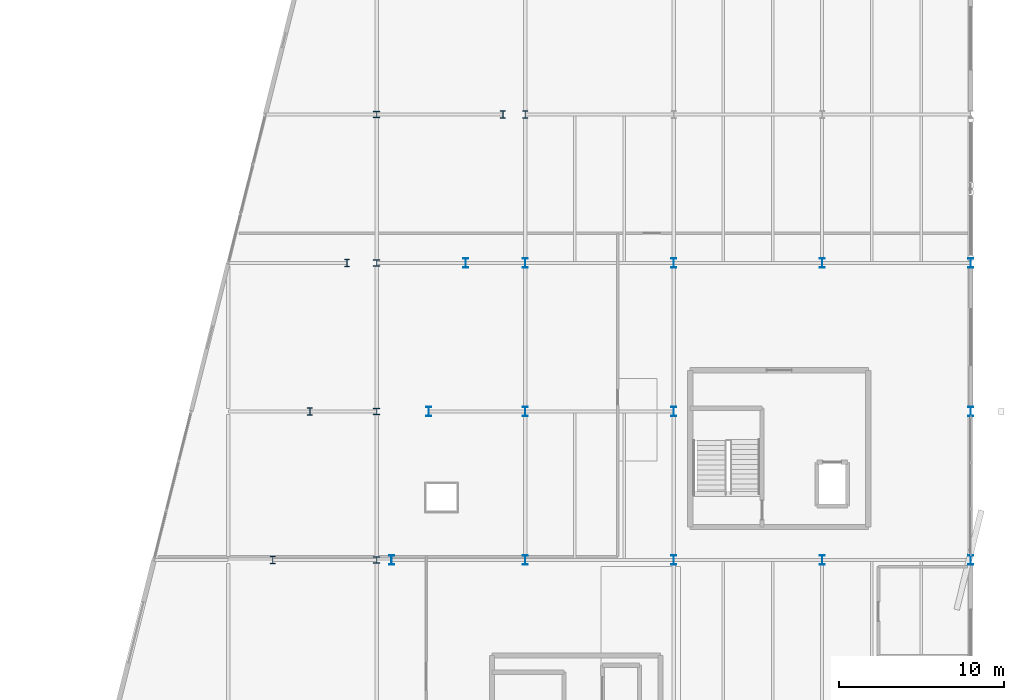
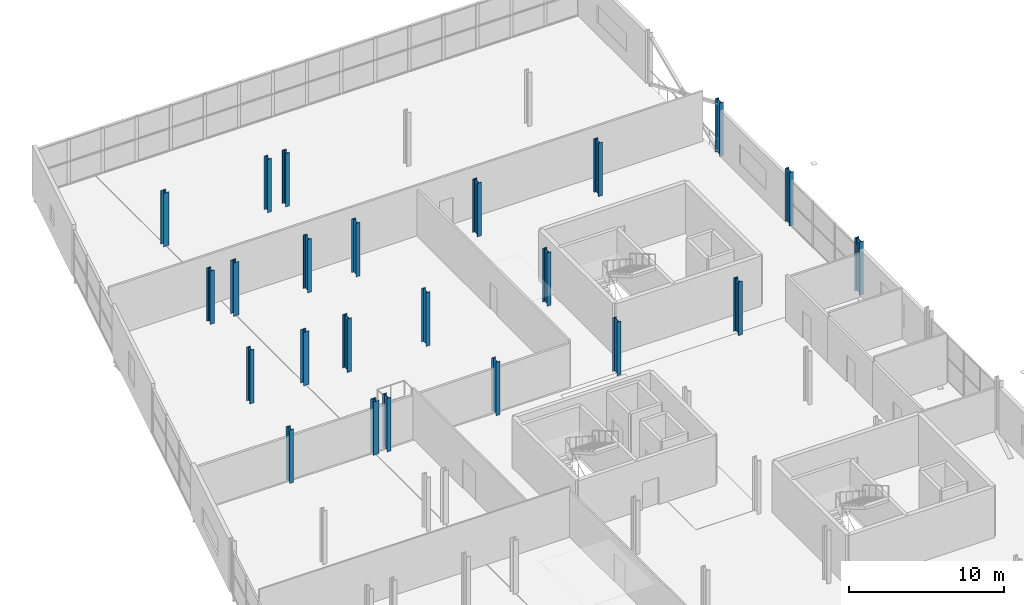
# One storey, part 10 of 88: 23 columns.
"""IFC4 building model written with IfcOpenShell, lengths in metres."""

from ifc_helpers import new_model, si_unit, direction, frame, origin, origin_2d, place, context, subcontext, project, spatial, i_section, extrude, material, material_profile, profile_set, type_object, element, save


model = new_model("IFC4")

# Units and contexts
model_context = context("Model", 3, precision=1e-05, world=origin(), true_north=direction((0.0, 1.0)))
body_context = subcontext(model_context, "Body", "Model", "MODEL_VIEW")
ifc_project = project(units=[si_unit("LENGTHUNIT", "METRE"), si_unit("AREAUNIT", "SQUARE_METRE"), si_unit("VOLUMEUNIT", "CUBIC_METRE"), si_unit("PLANEANGLEUNIT", "RADIAN"), si_unit("MASSUNIT", "GRAM", prefix="KILO")], contexts=[model_context])

# Site, building, storey
site_placement = place(None, origin())
site = spatial("IfcSite", under=ifc_project, at=site_placement, CompositionType="ELEMENT")
building_placement = place(site_placement, origin())
building = spatial("IfcBuilding", under=site, at=building_placement, Name="Deido Ridge Mobility Hub", CompositionType="ELEMENT")
storey_placement = place(building_placement, frame((0.0, 0.0, 16.800048828125)))
storey = spatial("IfcBuildingStorey", under=building, at=storey_placement, Name="L04", CompositionType="ELEMENT", Elevation=16.800048828125)

# Columns
ifc_material = material(Name="Steel S355J2 EN 10025-2", Category="steel")
ifc_material_profile_1 = material_profile(ifc_material, i_section(OverallWidth=0.39892578125, OverallDepth=0.39306640625, WebThickness=0.017578125, FlangeThickness=0.028076171875, FilletRadius=0.014892578125, at=origin_2d()), Name="HD 400x287")
ifc_profile_set_1 = profile_set([ifc_material_profile_1], Name="Steel S355J2 EN 10025-2")
column_type_1 = type_object("IfcColumnType", Name="COL-HD400-287", PredefinedType="COLUMN", material=ifc_profile_set_1)
for number, where, z_axis, x_axis, name in (
    (1, (144.0, 36.0, 0.0), (0.0, 0.0, 1.0), (1.0, 0.0, 0.0), "Structural column C2"),
    (2, (144.0, 45.0, 0.0), (0.0, 0.0, 1.0), (1.0, 0.0, 0.0), "Structural column C2"),
    (3, (144.0, 54.0, 0.0), (0.0, 0.0, 1.0), (1.0, 0.0, 0.0), "Structural column C2"),
    (4, (144.0, 63.0, 0.0), (0.0, 0.0, 1.0), (1.0, 0.0, 0.0), "Structural column C2"),
):
    element("IfcColumn", number, at=place(storey_placement, frame(where, z_axis=z_axis, x_axis=x_axis)), inside=storey, type_object=column_type_1, Name=name, PredefinedType="COLUMN", context=body_context, shape_type="SweptSolid", body=[
        extrude(i_section(OverallWidth=0.39892578125, OverallDepth=0.39306640625, WebThickness=0.017578125, FlangeThickness=0.028076171875, FilletRadius=0.014892578125, at=origin_2d()), origin(), (0.0, 0.0, 1.0), 4.199951171875),
    ])
ifc_material_profile_2 = material_profile(ifc_material, i_section(OverallWidth=0.300048828125, OverallDepth=0.449951171875, WebThickness=0.013916015625, FlangeThickness=0.02587890625, FilletRadius=0.027099609375, at=origin_2d()), Name="HEB 450")
ifc_profile_set_2 = profile_set([ifc_material_profile_2], Name="Steel S355J2 EN 10025-2")
column_type_2 = type_object("IfcColumnType", Name="COL-HEB450", PredefinedType="COLUMN", material=ifc_profile_set_2)
for number, where, z_axis, x_axis, name in (
    (5, (137.699951171875, 36.0, 0.0), (0.0, 0.0, 1.0), (1.0, 0.0, 0.0), "Structural column C6"),
    (6, (139.949951171875, 45.0, 0.0), (0.0, 0.0, 1.0), (1.0, 0.0, 0.0), "Structural column C6"),
    (7, (142.199951171875, 54.0, 0.0), (0.0, 0.0, 1.0), (1.0, 0.0, 0.0), "Structural column C6"),
    (8, (151.64990234375, 63.0, 0.0), (0.0, 0.0, 1.0), (1.0, 0.0, 0.0), "Structural column C6"),
    (9, (153.0, 63.0, 0.0), (0.0, 0.0, 1.0), (1.0, 0.0, 0.0), "Structural column C6"),
):
    element("IfcColumn", number, at=place(storey_placement, frame(where, z_axis=z_axis, x_axis=x_axis)), inside=storey, type_object=column_type_2, Name=name, PredefinedType="COLUMN", context=body_context, shape_type="SweptSolid", body=[
        extrude(i_section(OverallWidth=0.300048828125, OverallDepth=0.449951171875, WebThickness=0.013916015625, FlangeThickness=0.02587890625, FilletRadius=0.027099609375, at=origin_2d()), origin(), (0.0, 0.0, 1.0), 4.199951171875),
    ])
ifc_material_profile_3 = material_profile(ifc_material, i_section(OverallWidth=0.300048828125, OverallDepth=0.60009765625, WebThickness=0.015380859375, FlangeThickness=0.030029296875, FilletRadius=0.027099609375, at=origin_2d()), Name="HEB 600")
ifc_profile_set_3 = profile_set([ifc_material_profile_3], Name="Steel S355J2 EN 10025-2")
column_type_3 = type_object("IfcColumnType", Name="COL-HEB600", PredefinedType="COLUMN", material=ifc_profile_set_3)
for number, where, z_axis, x_axis, name in (
    (10, (144.89990234375, 36.0, 0.0), (0.0, 0.0, 1.0), (1.0, 0.0, 0.0), "Structural column C4"),
    (11, (153.0, 36.0, 0.0), (0.0, 0.0, 1.0), (1.0, 0.0, 0.0), "Structural column C4"),
    (12, (162.0, 36.0, 0.0), (0.0, 0.0, 1.0), (1.0, 0.0, 0.0), "Structural column C4"),
    (13, (171.0, 36.0, 0.0), (0.0, 0.0, 1.0), (1.0, 0.0, 0.0), "Structural column C4"),
    (14, (180.0, 36.0, 0.0), (0.0, 0.0, 1.0), (1.0, 0.0, 0.0), "Structural column C4"),
    (15, (147.14990234375, 45.0, 0.0), (0.0, 0.0, 1.0), (1.0, 0.0, 0.0), "Structural column C4"),
    (16, (153.0, 45.0, 0.0), (0.0, 0.0, 1.0), (1.0, 0.0, 0.0), "Structural column C4"),
    (17, (162.0, 45.0, 0.0), (0.0, 0.0, 1.0), (1.0, 0.0, 0.0), "Structural column C4"),
    (18, (180.0, 45.0, 0.0), (0.0, 0.0, 1.0), (1.0, 0.0, 0.0), "Structural column C4"),
    (19, (149.39990234375, 54.0, 0.0), (0.0, 0.0, 1.0), (1.0, 0.0, 0.0), "Structural column C4"),
    (20, (153.0, 54.0, 0.0), (0.0, 0.0, 1.0), (1.0, 0.0, 0.0), "Structural column C4"),
    (21, (162.0, 54.0, 0.0), (0.0, 0.0, 1.0), (1.0, 0.0, 0.0), "Structural column C4"),
    (22, (171.0, 54.0, 0.0), (0.0, 0.0, 1.0), (1.0, 0.0, 0.0), "Structural column C4"),
    (23, (180.0, 54.0, 0.0), (0.0, 0.0, 1.0), (1.0, 0.0, 0.0), "Structural column C4"),
):
    element("IfcColumn", number, at=place(storey_placement, frame(where, z_axis=z_axis, x_axis=x_axis)), inside=storey, type_object=column_type_3, Name=name, PredefinedType="COLUMN", context=body_context, shape_type="SweptSolid", body=[
        extrude(i_section(OverallWidth=0.300048828125, OverallDepth=0.60009765625, WebThickness=0.015380859375, FlangeThickness=0.030029296875, FilletRadius=0.027099609375, at=origin_2d()), origin(), (0.0, 0.0, 1.0), 4.199951171875),
    ])

save(model, "model.ifc")
